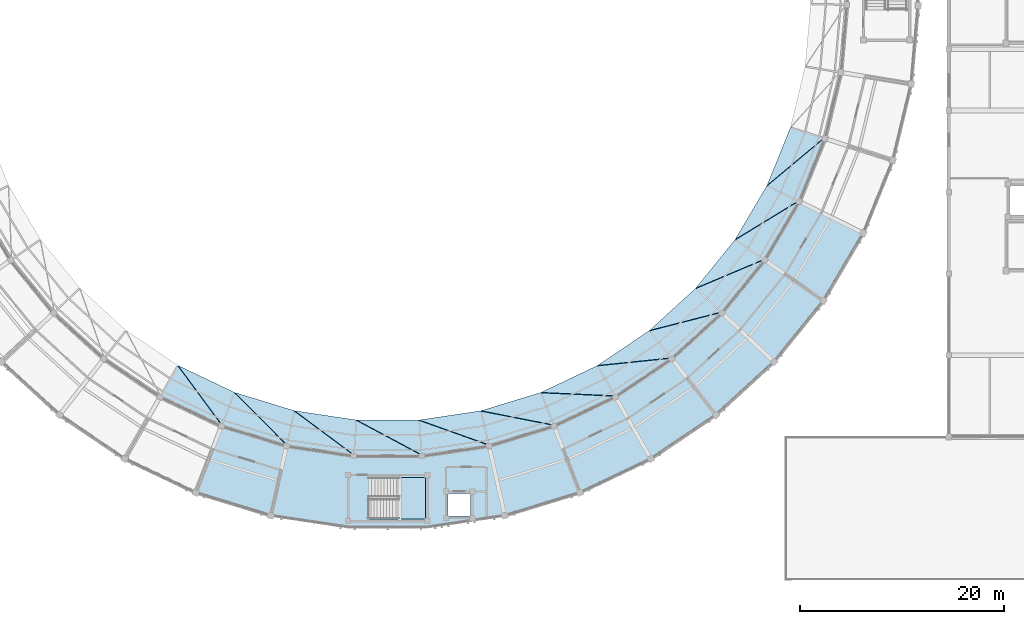
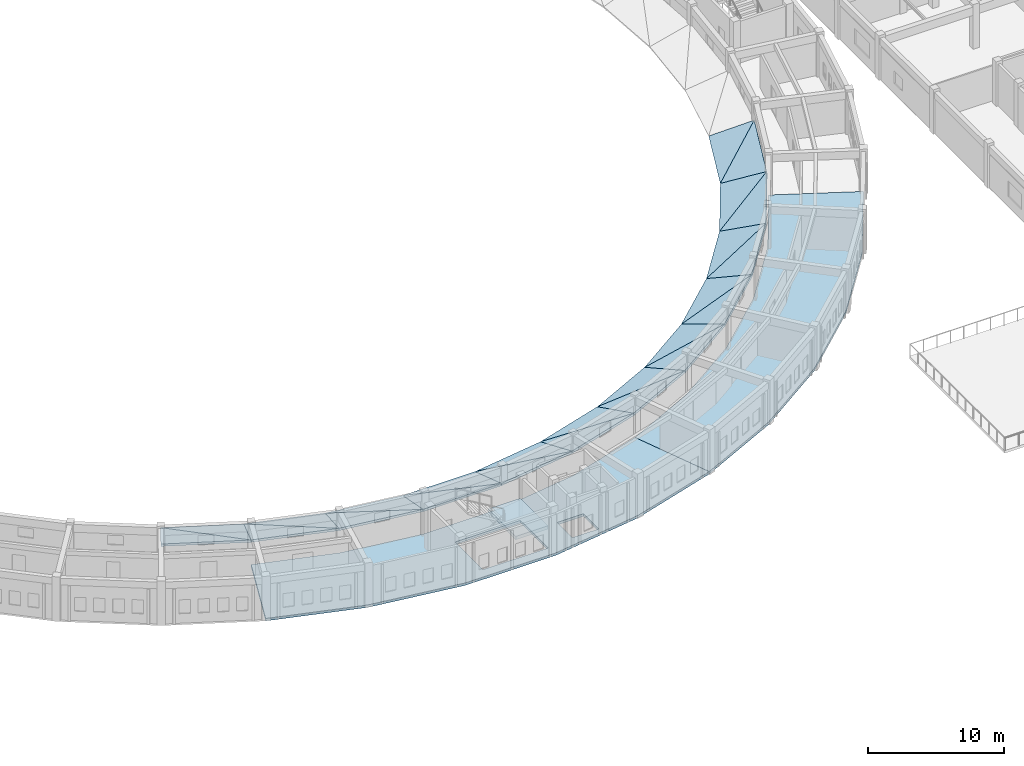
# One storey, part 68 of 112: 27 slabs, 1 element without a shape of its own.
"""IFC4 building model written with IfcOpenShell, lengths in metres."""

import ifcopenshell
import ifcopenshell.guid

model = None  # the IFC model being written
_history = None  # IfcOwnerHistory: only IFC2X3 demands one
_inside = {}  # id of a spatial element -> (the spatial element, [elements in it])
_under = {}  # id of a project, library or spatial element -> (it, [spatial elements below it])
_declared = {}  # id of a project -> (the project, [libraries it declares])
_typed = {}  # id of a type object -> (the type object, [elements of that type])
_made_of = {}  # id of a material, layer set ... -> (it, [elements and type objects made of it])


def new_model(schema):
    """Start an empty IFC model of exactly this schema.

    Asked for "IFC4X3", IfcOpenShell would pick the latest addendum, in which some entities
    have other attributes; the version numbers below select the first issue.
    IFC2X3 requires an IfcOwnerHistory on every rooted entity: one is made here for all.
    """
    global model, _history
    if schema == "IFC4X3":
        model = ifcopenshell.file(schema_version=(4, 3, 0, 0))
    else:
        model = ifcopenshell.file(schema=schema)
    _inside.clear()
    _under.clear()
    _declared.clear()
    _typed.clear()
    _made_of.clear()
    _history = None
    if model.schema == "IFC2X3":
        org = make("IfcOrganization", Name="unknown")
        user = make(
            "IfcPersonAndOrganization",
            ThePerson=make("IfcPerson", FamilyName="unknown"),
            TheOrganization=org,
        )
        app = make(
            "IfcApplication",
            ApplicationDeveloper=org,
            Version="unknown",
            ApplicationFullName="unknown",
            ApplicationIdentifier="unknown",
        )
        _history = make(
            "IfcOwnerHistory",
            OwningUser=user,
            OwningApplication=app,
            ChangeAction="ADDED",
            CreationDate=0,
        )
    return model


def make(cls, **values):
    """One entity of the class cls with the attributes given. An attribute that is None is left unset."""
    return model.create_entity(
        cls, **{name: value for name, value in values.items() if value is not None}
    )


def rooted(cls, **values):
    """An entity with a GlobalId (a new one), such as an element, a storey or a relation."""
    return make(cls, GlobalId=ifcopenshell.guid.new(), OwnerHistory=_history, **values)


def si_unit(unit_type, name, prefix=None):
    """IfcSIUnit, for example si_unit("LENGTHUNIT", "METRE", prefix="MILLI")."""
    return make("IfcSIUnit", UnitType=unit_type, Prefix=prefix, Name=name)


def assignment(units):
    """IfcUnitAssignment: the units of a project."""
    return None if units is None else make("IfcUnitAssignment", Units=units)


def point(xyz):
    """IfcCartesianPoint."""
    return None if xyz is None else make("IfcCartesianPoint", Coordinates=xyz)


def direction(xyz):
    """IfcDirection."""
    return None if xyz is None else make("IfcDirection", DirectionRatios=xyz)


def frame(location, z_axis=None, x_axis=None):
    """IfcAxis2Placement3D, a coordinate frame: its origin and axes. An axis left out is left unset."""
    return make(
        "IfcAxis2Placement3D",
        Location=point(location),
        Axis=direction(z_axis),
        RefDirection=direction(x_axis),
    )


def origin():
    """The frame at (0, 0, 0) with its axes left unset."""
    return frame((0.0, 0.0, 0.0))


def place(relative_to, where):
    """IfcLocalPlacement: puts the frame where relative to a parent placement (None: the world)."""
    return make(
        "IfcLocalPlacement", PlacementRelTo=relative_to, RelativePlacement=where
    )


def context(
    kind, dimensions, precision=None, world=None, true_north=None, identifier=None
):
    """IfcGeometricRepresentationContext, for example the 3D "Model" context."""
    return make(
        "IfcGeometricRepresentationContext",
        ContextIdentifier=identifier,
        ContextType=kind,
        CoordinateSpaceDimension=dimensions,
        Precision=precision,
        WorldCoordinateSystem=world,
        TrueNorth=true_north,
    )


def subcontext(parent, identifier, kind, view, scale=None):
    """IfcGeometricRepresentationSubContext, for example "Body" below "Model"."""
    return make(
        "IfcGeometricRepresentationSubContext",
        ContextIdentifier=identifier,
        ContextType=kind,
        ParentContext=parent,
        TargetScale=scale,
        TargetView=view,
    )


def project(units=None, contexts=None):
    """IfcProject with its units and contexts."""
    return rooted(
        "IfcProject",
        Name="project",
        RepresentationContexts=contexts,
        UnitsInContext=assignment(units),
    )


def spatial(cls, under=None, at=None, **own):
    """A site, building, storey or space (cls), placed at a placement, below another one or the project."""
    s = rooted(cls, ObjectPlacement=at, **own)
    if under is not None:
        _under.setdefault(under.id(), (under, []))[1].append(s)
    return s


def polyline(points):
    """IfcPolyline through the points."""
    return make("IfcPolyline", Points=[point(p) for p in points])


def outline(outer, holes=None, kind="AREA"):
    """IfcArbitraryClosedProfileDef: a profile drawn as a closed curve; with holes, ...WithVoids."""
    if holes is None:
        return make("IfcArbitraryClosedProfileDef", ProfileType=kind, OuterCurve=outer)
    return make(
        "IfcArbitraryProfileDefWithVoids",
        ProfileType=kind,
        OuterCurve=outer,
        InnerCurves=holes,
    )


def extrude(swept, where, along, depth):
    """IfcExtrudedAreaSolid: the profile swept, set in the frame where, extruded along a direction by depth."""
    return make(
        "IfcExtrudedAreaSolid",
        SweptArea=swept,
        Position=where,
        ExtrudedDirection=direction(along),
        Depth=depth,
    )


def shape(context_of_items, identifier, shape_type, items):
    """IfcShapeRepresentation: the items that make up one representation, for example the "Body"."""
    return make(
        "IfcShapeRepresentation",
        ContextOfItems=context_of_items,
        RepresentationIdentifier=identifier,
        RepresentationType=shape_type,
        Items=items,
    )


def material(Name=None, Category=None):
    """IfcMaterial."""
    return make("IfcMaterial", Name=Name, Category=Category)


def layer(
    of_material, thickness, ventilated=None, Name=None, Category=None, Priority=None
):
    """IfcMaterialLayer: one layer of a wall or slab, of a material (None: an air gap)."""
    return make(
        "IfcMaterialLayer",
        Material=of_material,
        LayerThickness=thickness,
        IsVentilated=ventilated,
        Name=Name,
        Category=Category,
        Priority=Priority,
    )


def layer_set(layers, Name=None):
    """IfcMaterialLayerSet."""
    return make("IfcMaterialLayerSet", MaterialLayers=layers, LayerSetName=Name)


def made_of(thing, what):
    """Note that an element or type object is made of a material, layer set ...; save() writes the relation."""
    if what is not None:
        _made_of.setdefault(what.id(), (what, []))[1].append(thing)
    return thing


def type_object(cls, material=None, **own):
    """A type object (cls), such as IfcWallType, which elements share."""
    return made_of(rooted(cls, **own), material)


def element(
    cls,
    number,
    at=None,
    inside=None,
    cuts=None,
    type_object=None,
    material=None,
    context=None,
    identifier="Body",
    shape_type=None,
    held_by="IfcProductDefinitionShape",
    body=None,
    shapes=None,
    **own,
):
    """One element of the class cls, such as IfcWall. Its Tag is "e" and its number.

    at: its placement. inside: the storey or other place that contains it. cuts: it is an
    opening in that element (IfcRelVoidsElement). A single representation is given by context,
    identifier, shape_type and body (its items); several are given by shapes. held_by: the class
    of the entity that holds the representations. save() writes the other relations.
    """
    e = rooted(cls, Tag="e%d" % number, ObjectPlacement=at, **own)
    if body is not None:
        shapes = [shape(context, identifier, shape_type, body)]
    if shapes is not None:
        e.Representation = make(held_by, Representations=shapes)
    if inside is not None:
        _inside.setdefault(inside.id(), (inside, []))[1].append(e)
    if cuts is not None:
        rooted(
            "IfcRelVoidsElement", RelatingBuildingElement=cuts, RelatedOpeningElement=e
        )
    if type_object is not None:
        _typed.setdefault(type_object.id(), (type_object, []))[1].append(e)
    return made_of(e, material)


def aggregate(whole, parts):
    """IfcRelAggregates: a whole, such as a stair, and the parts it consists of."""
    return rooted("IfcRelAggregates", RelatingObject=whole, RelatedObjects=parts)


def save(model, path):
    """Write the relations noted so far, then the file.

    IfcRelAggregates (storeys below a building ...), IfcRelContainedInSpatialStructure (elements
    in a storey), IfcRelDefinesByType, IfcRelAssociatesMaterial and IfcRelDeclares: one each for
    every whole, place, type object, material and project.
    """
    for whole, parts in _under.values():
        aggregate(whole, parts)
    for where, things in _inside.values():
        rooted(
            "IfcRelContainedInSpatialStructure",
            RelatedElements=things,
            RelatingStructure=where,
        )
    for kind, things in _typed.values():
        rooted("IfcRelDefinesByType", RelatedObjects=things, RelatingType=kind)
    for what, things in _made_of.values():
        rooted("IfcRelAssociatesMaterial", RelatedObjects=things, RelatingMaterial=what)
    for by, libraries in _declared.values():
        rooted("IfcRelDeclares", RelatingContext=by, RelatedDefinitions=libraries)
    model.write(path)


model = new_model("IFC4")

# Units and contexts
model_context = context("Model", 3, precision=1e-05, world=origin(), true_north=direction((0.0, 1.0)))
body_context = subcontext(model_context, "Body", "Model", "MODEL_VIEW")
ifc_project = project(units=[si_unit("LENGTHUNIT", "METRE"), si_unit("AREAUNIT", "SQUARE_METRE"), si_unit("VOLUMEUNIT", "CUBIC_METRE"), si_unit("PLANEANGLEUNIT", "RADIAN"), si_unit("MASSUNIT", "GRAM", prefix="KILO")], contexts=[model_context])

# Site, building, storey
site_placement = place(None, origin())
site = spatial("IfcSite", under=ifc_project, at=site_placement, CompositionType="ELEMENT")
building_placement = place(site_placement, origin())
building = spatial("IfcBuilding", under=site, at=building_placement, Name="Celadon Cloister-Ring School", CompositionType="ELEMENT")
storey_placement = place(building_placement, frame((0.0, 0.0, 8.5)))
storey = spatial("IfcBuildingStorey", under=building, at=storey_placement, Name="L02", CompositionType="ELEMENT", Elevation=8.5)

# Slabs
ifc_material_1 = material(Name="Concrete C35/45", Category="concrete")
ifc_layer_1 = layer(ifc_material_1, 0.219970703125)
ifc_layer_set_1 = layer_set([ifc_layer_1], Name="Concrete C35/45")
slab_type_1 = type_object("IfcSlabType", Name="SL-FL2", PredefinedType="FLOOR", material=ifc_layer_set_1)
slab_1_placement = place(storey_placement, frame((0.0, 0.0, -0.219970703125)))
element("IfcSlab", 1, at=slab_1_placement, inside=storey, type_object=slab_type_1, Name="Ring L02 Sector 0018", PredefinedType="FLOOR", context=body_context, shape_type="SweptSolid", body=[
    extrude(outline(polyline([(70.697998046875, 17.056884765625), (77.072998046875, 15.10888671875), (83.6669921875, 14.1240234375), (90.3330078125, 14.1240234375), (96.927001953125, 15.10888671875), (103.302001953125, 17.056884765625), (105.837890625, 10.531982421875), (98.470947265625, 8.281005859375), (90.85205078125, 7.14306640625), (83.14794921875, 7.14306640625), (75.529052734375, 8.281005859375), (68.162109375, 10.531982421875), (70.697998046875, 17.056884765625)]), holes=[polyline([(95.1201171875, 8.22998046875), (95.1201171875, 10.469970703125), (92.8798828125, 10.469970703125), (92.8798828125, 8.22998046875), (95.1201171875, 8.22998046875)]), polyline([(90.679931640625, 7.969970703125), (90.679931640625, 12.050048828125), (85.139892578125, 12.050048828125), (85.139892578125, 7.969970703125), (90.679931640625, 7.969970703125)])]), origin(), (0.0, 0.0, 1.0), 0.219970703125),
])
slab_2_placement = place(storey_placement, frame((0.0, 0.0, -0.219970703125)))
element("IfcSlab", 2, at=slab_2_placement, inside=storey, type_object=slab_type_1, Name="Ring L02 Sector 0019", PredefinedType="FLOOR", context=body_context, shape_type="SweptSolid", body=[
    extrude(outline(polyline([(103.302001953125, 17.056884765625), (109.320068359375, 19.926025390625), (114.847900390625, 23.652099609375), (119.764892578125, 28.154052734375), (123.9619140625, 33.3330078125), (127.34912109375, 39.075927734375), (133.625, 35.97705078125), (129.7119140625, 29.341064453125), (124.862060546875, 23.35595703125), (119.179931640625, 18.153076171875), (112.7919921875, 13.846923828125), (105.837890625, 10.531982421875), (103.302001953125, 17.056884765625)])), origin(), (0.0, 0.0, 1.0), 0.219970703125),
])

# Stair, slab
ifc_material_2 = material(Name="Concrete C35/45", Category="concrete")
stair_type = type_object("IfcStairType", Name="ST-04", PredefinedType="HALF_TURN_STAIR", material=ifc_material_2)
stair_placement = place(storey_placement, origin())
stair = element("IfcStair", 3, at=stair_placement, inside=storey, type_object=stair_type, Name="Exit Stair ST-V1S L02", PredefinedType="HALF_TURN_STAIR")
ifc_material_3 = material(Name="Concrete C35/45", Category="concrete")
ifc_layer_2 = layer(ifc_material_3, 0.300048828125)
ifc_layer_set_2 = layer_set([ifc_layer_2], Name="Concrete C35/45")
slab_type_2 = type_object("IfcSlabType", Name="SL-LD2", PredefinedType="LANDING", material=ifc_layer_set_2)
slab_3_placement = place(storey_placement, frame((0.0, 0.0, 1.699951171875)))
slab_3 = element("IfcSlab", 4, at=slab_3_placement, type_object=slab_type_2, Name="ST-04 landing 1", PredefinedType="LANDING", context=body_context, shape_type="SweptSolid", body=[
    extrude(outline(polyline([(87.929931640625, 7.969970703125), (90.679931640625, 7.969970703125), (90.679931640625, 12.050048828125), (87.929931640625, 12.050048828125), (87.929931640625, 7.969970703125)])), origin(), (0.0, 0.0, 1.0), 0.300048828125),
])
aggregate(stair, [slab_3])

# Slabs
ifc_material_4 = material(Name="Concrete C35/45", Category="concrete")
ifc_layer_3 = layer(ifc_material_4, 0.179931640625)
ifc_layer_set_3 = layer_set([ifc_layer_3], Name="Concrete C35/45")
slab_type_3 = type_object("IfcSlabType", Name="SL-RF1", PredefinedType="ROOF", material=ifc_layer_set_3)
slab_4_placement = place(storey_placement, frame((66.44091796875, 23.008056640625, 1.199951171875), z_axis=(0.111466776389, 0.233885175451, 0.965853447716), x_axis=(-0.47926406148, -0.838763819293, 0.258420616088)))
element("IfcSlab", 5, at=slab_4_placement, inside=storey, type_object=slab_type_3, Name="Conical Lower Roof Inner Tri 0057", PredefinedType="ROOF", context=body_context, shape_type="SweptSolid", body=[
    extrude(outline(polyline([(0.0, 0.0), (3.540890337436619, -1.1102230246251565e-16), (3.0636755541786527, 6.630771481729757), (0.0, 0.0)])), origin(), (0.0, 0.0, -1.0), 0.179931640625),
])
slab_5_placement = place(storey_placement, frame((66.44091796875, 23.008056640625, 1.199951171875), z_axis=(0.11149070915, 0.233901779758, 0.965846664435), x_axis=(0.589266798516, -0.798167393565, 0.125273508839)))
element("IfcSlab", 6, at=slab_5_placement, inside=storey, type_object=slab_type_3, Name="Conical Lower Roof Outer Tri 0058", PredefinedType="ROOF", context=body_context, shape_type="SweptSolid", body=[
    extrude(outline(polyline([(0.0, 0.0), (7.304330109201836, -2.7755575615628914e-17), (5.375117413734664, 2.968712531467107), (0.0, 0.0)])), origin(), (0.0, 0.0, -1.0), 0.179931640625),
])
slab_6_placement = place(storey_placement, frame((71.98388671875, 20.365966796875, 1.199951171875), z_axis=(0.075733996637, 0.247796155369, 0.96584751754), x_axis=(-0.349885819343, -0.900435362431, 0.258449359656)))
element("IfcSlab", 7, at=slab_6_placement, inside=storey, type_object=slab_type_3, Name="Conical Lower Roof Inner Tri 0061", PredefinedType="ROOF", context=body_context, shape_type="SweptSolid", body=[
    extrude(outline(polyline([(0.0, 0.0), (3.5404965356347335, 4.5102810375396984e-17), (3.0657254541368837, 6.6302296508077285), (0.0, 0.0)])), origin(), (0.0, 0.0, -1.0), 0.179931640625),
])
slab_7_placement = place(storey_placement, frame((71.98388671875, 20.365966796875, 1.199951171875), z_axis=(0.075748190576, 0.247809504861, 0.965842979435), x_axis=(0.700667409789, -0.702405375125, 0.125267193851)))
element("IfcSlab", 8, at=slab_7_placement, inside=storey, type_object=slab_type_3, Name="Conical Lower Roof Outer Tri 0062", PredefinedType="ROOF", context=body_context, shape_type="SweptSolid", body=[
    extrude(outline(polyline([(0.0, 0.0), (7.304698336180132, -2.7755575615628914e-16), (5.3751310688867235, 2.9683194377603703), (0.0, 0.0)])), origin(), (0.0, 0.0, -1.0), 0.179931640625),
])
slab_8_placement = place(storey_placement, frame((77.85595703125, 18.571044921875, 1.199951171875), z_axis=(0.038288610746, 0.256275769716, 0.965845076678), x_axis=(-0.212946201542, -0.942259358119, 0.258459314566)))
element("IfcSlab", 9, at=slab_8_placement, inside=storey, type_object=slab_type_3, Name="Conical Lower Roof Inner Tri 0065", PredefinedType="ROOF", context=body_context, shape_type="SweptSolid", body=[
    extrude(outline(polyline([(0.0, 0.0), (3.540360168626378, 1.3877787807814457e-16), (3.0659234080766122, 6.629986804424895), (0.0, 0.0)])), origin(), (0.0, 0.0, -1.0), 0.179931640625),
])
slab_9_placement = place(storey_placement, frame((77.85595703125, 18.571044921875, 1.199951171875), z_axis=(0.038262933192, 0.256243207239, 0.96585473374), x_axis=(0.79677181984, -0.591153285688, 0.12526954909)))
element("IfcSlab", 10, at=slab_9_placement, inside=storey, type_object=slab_type_3, Name="Conical Lower Roof Outer Tri 0066", PredefinedType="ROOF", context=body_context, shape_type="SweptSolid", body=[
    extrude(outline(polyline([(0.0, 0.0), (7.304560997831448, -1.6653345369377348e-16), (5.3757374419266135, 2.9693823641273838), (0.0, 0.0)])), origin(), (0.0, 0.0, -1.0), 0.179931640625),
])
slab_10_placement = place(storey_placement, frame((83.929931640625, 17.6640625, 1.199951171875), z_axis=(0.0, 0.259090817993, 0.965852963981), x_axis=(-0.071707788032, -0.96336655229, 0.2584238361)))
element("IfcSlab", 11, at=slab_10_placement, inside=storey, type_object=slab_type_3, Name="Conical Lower Roof Inner Tri 0069", PredefinedType="ROOF", context=body_context, shape_type="SweptSolid", body=[
    extrude(outline(polyline([(0.0, 0.0), (3.5408462172486534, -3.469446951953614e-18), (3.0641364838237335, 6.630835290152868), (0.0, 0.0)])), origin(), (0.0, 0.0, -1.0), 0.179931640625),
])
slab_11_placement = place(storey_placement, frame((83.929931640625, 17.6640625, 1.199951171875), z_axis=(0.0, 0.259090817993, 0.965852963981), x_axis=(0.875346942163, -0.466985394269, 0.125269199665)))
element("IfcSlab", 12, at=slab_11_placement, inside=storey, type_object=slab_type_3, Name="Conical Lower Roof Outer Tri 0070", PredefinedType="ROOF", context=body_context, shape_type="SweptSolid", body=[
    extrude(outline(polyline([(0.0, 0.0), (7.304581373127166, -3.3306690738754696e-16), (5.3747499012225255, 2.9687274082088555), (0.0, 0.0)])), origin(), (0.0, 0.0, -1.0), 0.179931640625),
])
slab_12_placement = place(storey_placement, frame((90.070068359375, 17.6640625, 1.199951171875), z_axis=(-0.038283501747, 0.256241573833, 0.965854352029), x_axis=(0.071707788032, -0.96336655229, 0.2584238361)))
element("IfcSlab", 13, at=slab_12_placement, inside=storey, type_object=slab_type_3, Name="Conical Lower Roof Inner Tri 0073", PredefinedType="ROOF", context=body_context, shape_type="SweptSolid", body=[
    extrude(outline(polyline([(0.0, 0.0), (3.5408462172486534, -2.0816681711721685e-17), (3.066054217363901, 6.62996137420533), (0.0, 0.0)])), origin(), (0.0, 0.0, -1.0), 0.179931640625),
])
slab_13_placement = place(storey_placement, frame((90.070068359375, 17.6640625, 1.199951171875), z_axis=(-0.038268459882, 0.256280218952, 0.965844694737), x_axis=(0.934738051287, -0.332524363438, 0.125269003333)))
element("IfcSlab", 14, at=slab_13_placement, inside=storey, type_object=slab_type_3, Name="Conical Lower Roof Outer Tri 0074", PredefinedType="ROOF", context=body_context, shape_type="SweptSolid", body=[
    extrude(outline(polyline([(0.0, 0.0), (7.30459282145621, -1.1102230246251565e-16), (5.375981437452574, 2.9689405944019454), (0.0, 0.0)])), origin(), (0.0, 0.0, -1.0), 0.179931640625),
])
slab_14_placement = place(storey_placement, frame((96.14404296875, 18.571044921875, 1.199951171875), z_axis=(-0.075738744234, 0.247811689164, 0.965843159802), x_axis=(0.212946201542, -0.942259358119, 0.258459314566)))
element("IfcSlab", 15, at=slab_14_placement, inside=storey, type_object=slab_type_3, Name="Conical Lower Roof Inner Tri 0077", PredefinedType="ROOF", context=body_context, shape_type="SweptSolid", body=[
    extrude(outline(polyline([(0.0, 0.0), (3.540360168626378, 1.0408340855860843e-17), (3.0633565611660734, 6.630069408441097), (0.0, 0.0)])), origin(), (0.0, 0.0, -1.0), 0.179931640625),
])
slab_15_placement = place(storey_placement, frame((96.14404296875, 18.571044921875, 1.199951171875), z_axis=(-0.075743050395, 0.247792688807, 0.965847696943), x_axis=(0.973612982758, -0.190738023746, 0.125286735541)))
element("IfcSlab", 16, at=slab_15_placement, inside=storey, type_object=slab_type_3, Name="Conical Lower Roof Outer Tri 0078", PredefinedType="ROOF", context=body_context, shape_type="SweptSolid", body=[
    extrude(outline(polyline([(0.0, 0.0), (7.303558980496132, -1.1102230246251565e-16), (5.374764040702546, 2.9689839674656735), (0.0, 0.0)])), origin(), (0.0, 0.0, -1.0), 0.179931640625),
])
slab_16_placement = place(storey_placement, frame((102.01611328125, 20.365966796875, 1.199951171875), z_axis=(-0.111477223901, 0.233907096945, 0.965846933292), x_axis=(0.349885819343, -0.900435362431, 0.258449359656)))
element("IfcSlab", 17, at=slab_16_placement, inside=storey, type_object=slab_type_3, Name="Conical Lower Roof Inner Tri 0081", PredefinedType="ROOF", context=body_context, shape_type="SweptSolid", body=[
    extrude(outline(polyline([(0.0, 0.0), (3.5404965356347335, -9.020562075079397e-17), (3.064896695395427, 6.630887511053473), (0.0, 0.0)])), origin(), (0.0, 0.0, -1.0), 0.179931640625),
])
slab_17_placement = place(storey_placement, frame((102.01611328125, 20.365966796875, 1.199951171875), z_axis=(-0.11147939689, 0.233878047219, 0.965853717236), x_axis=(0.991107743564, -0.044884764782, 0.125262917649)))
element("IfcSlab", 18, at=slab_17_placement, inside=storey, type_object=slab_type_3, Name="Conical Lower Roof Outer Tri 0082", PredefinedType="ROOF", context=body_context, shape_type="SweptSolid", body=[
    extrude(outline(polyline([(0.0, 0.0), (7.304947702597928, 8.326672684688674e-17), (5.375089669289077, 2.9687627646926105), (0.0, 0.0)])), origin(), (0.0, 0.0, -1.0), 0.179931640625),
])
slab_18_placement = place(storey_placement, frame((107.55908203125, 23.008056640625, 1.199951171875), z_axis=(-0.144822527206, 0.214826425541, 0.965855083593), x_axis=(0.47926406148, -0.838763819293, 0.258420616088)))
element("IfcSlab", 19, at=slab_18_placement, inside=storey, type_object=slab_type_3, Name="Conical Lower Roof Inner Tri 0085", PredefinedType="ROOF", context=body_context, shape_type="SweptSolid", body=[
    extrude(outline(polyline([(0.0, 0.0), (3.540890337436619, 7.632783294297951e-17), (3.065880422006405, 6.630491767784474), (0.0, 0.0)])), origin(), (0.0, 0.0, -1.0), 0.179931640625),
])
slab_19_placement = place(storey_placement, frame((107.55908203125, 23.008056640625, 1.199951171875), z_axis=(-0.144821019351, 0.214806000967, 0.965859852309), x_axis=(0.986856003026, 0.102101228977, 0.125261998759)))
element("IfcSlab", 20, at=slab_19_placement, inside=storey, type_object=slab_type_3, Name="Conical Lower Roof Outer Tri 0086", PredefinedType="ROOF", context=body_context, shape_type="SweptSolid", body=[
    extrude(outline(polyline([(0.0, 0.0), (7.305001289849295, -8.326672684688674e-17), (5.375369672792966, 2.9692310781098765), (0.0, 0.0)])), origin(), (0.0, 0.0, -1.0), 0.179931640625),
])
slab_20_placement = place(storey_placement, frame((112.65087890625, 26.44091796875, 1.199951171875), z_axis=(-0.174964222273, 0.19105518327, 0.965859947337), x_axis=(0.597879715709, -0.758794297866, 0.258400965692)))
element("IfcSlab", 21, at=slab_20_placement, inside=storey, type_object=slab_type_3, Name="Conical Lower Roof Inner Tri 0089", PredefinedType="ROOF", context=body_context, shape_type="SweptSolid", body=[
    extrude(outline(polyline([(0.0, 0.0), (3.5411596084837744, -1.249000902703301e-16), (3.065641585325834, 6.6297295112581285), (0.0, 0.0)])), origin(), (0.0, 0.0, -1.0), 0.179931640625),
])
slab_21_placement = place(storey_placement, frame((112.65087890625, 26.44091796875, 1.199951171875), z_axis=(-0.174972998561, 0.191094083145, 0.965850661936), x_axis=(0.960958646897, 0.246707331226, 0.125275582907)))
element("IfcSlab", 22, at=slab_21_placement, inside=storey, type_object=slab_type_3, Name="Conical Lower Roof Outer Tri 0090", PredefinedType="ROOF", context=body_context, shape_type="SweptSolid", body=[
    extrude(outline(polyline([(0.0, 0.0), (7.304209178420756, 3.0531133177191805e-16), (5.3753209440423255, 2.9691119263131136), (0.0, 0.0)])), origin(), (0.0, 0.0, -1.0), 0.179931640625),
])
slab_22_placement = place(storey_placement, frame((117.179931640625, 30.587890625, 1.199951171875), z_axis=(-0.201296578191, 0.163141951676, 0.965849051981), x_axis=(0.703257016137, -0.662298621433, 0.258437817088)))
element("IfcSlab", 23, at=slab_22_placement, inside=storey, type_object=slab_type_3, Name="Conical Lower Roof Inner Tri 0093", PredefinedType="ROOF", context=body_context, shape_type="SweptSolid", body=[
    extrude(outline(polyline([(0.0, 0.0), (3.5406546642814942, 2.3245294578089215e-16), (3.0637150069685797, 6.631217641564336), (0.0, 0.0)])), origin(), (0.0, 0.0, -1.0), 0.179931640625),
])
slab_23_placement = place(storey_placement, frame((117.179931640625, 30.587890625, 1.199951171875), z_axis=(-0.20132760853, 0.163221891653, 0.965829078113), x_axis=(0.913929136319, 0.386059442443, 0.125266279134)))
element("IfcSlab", 24, at=slab_23_placement, inside=storey, type_object=slab_type_3, Name="Conical Lower Roof Outer Tri 0094", PredefinedType="ROOF", context=body_context, shape_type="SweptSolid", body=[
    extrude(outline(polyline([(0.0, 0.0), (7.30475167638973, -4.163336342344337e-16), (5.375846412536061, 2.9679118648446883), (0.0, 0.0)])), origin(), (0.0, 0.0, -1.0), 0.179931640625),
])
slab_24_placement = place(storey_placement, frame((121.047119140625, 35.35791015625, 1.199951171875), z_axis=(-0.223249104994, 0.131645570314, 0.965830875949), x_axis=(0.793533770758, -0.550886938465, 0.258510610413)))
element("IfcSlab", 25, at=slab_24_placement, inside=storey, type_object=slab_type_3, Name="Conical Lower Roof Inner Tri 0097", PredefinedType="ROOF", context=body_context, shape_type="SweptSolid", body=[
    extrude(outline(polyline([(0.0, 0.0), (3.539657660623166, -7.28583859910259e-17), (3.0647275519878567, 6.62935911804906), (0.0, 0.0)])), origin(), (0.0, 0.0, -1.0), 0.179931640625),
])
slab_25_placement = place(storey_placement, frame((121.047119140625, 35.35791015625, 1.199951171875), z_axis=(-0.223229697785, 0.131611564944, 0.965839996066), x_axis=(0.846830072865, 0.516896278243, 0.125287929306)))
element("IfcSlab", 26, at=slab_25_placement, inside=storey, type_object=slab_type_3, Name="Conical Lower Roof Outer Tri 0098", PredefinedType="ROOF", context=body_context, shape_type="SweptSolid", body=[
    extrude(outline(polyline([(0.0, 0.0), (7.303489390967424, -8.326672684688674e-17), (5.375576840287037, 2.969040618986588), (0.0, 0.0)])), origin(), (0.0, 0.0, -1.0), 0.179931640625),
])
slab_26_placement = place(storey_placement, frame((124.166015625, 40.64794921875, 1.199951171875), z_axis=(-0.24021599898, 0.097232324798, 0.965837537502), x_axis=(0.866063007107, -0.427928090388, 0.258480980302)))
element("IfcSlab", 27, at=slab_26_placement, inside=storey, type_object=slab_type_3, Name="Conical Lower Roof Inner Tri 0101", PredefinedType="ROOF", context=body_context, shape_type="SweptSolid", body=[
    extrude(outline(polyline([(0.0, 0.0), (3.5400634175482244, 2.463307335887066e-16), (3.0633111244062032, 6.630386706283313), (0.0, 0.0)])), origin(), (0.0, 0.0, -1.0), 0.179931640625),
])
slab_27_placement = place(storey_placement, frame((124.166015625, 40.64794921875, 1.199951171875), z_axis=(-0.240165774283, 0.097168507348, 0.965856450019), x_axis=(0.761252677578, 0.6362379672, 0.125282121523)))
element("IfcSlab", 28, at=slab_27_placement, inside=storey, type_object=slab_type_3, Name="Conical Lower Roof Outer Tri 0102", PredefinedType="ROOF", context=body_context, shape_type="SweptSolid", body=[
    extrude(outline(polyline([(0.0, 0.0), (7.303827963456512, -8.326672684688674e-16), (5.374703299039782, 2.9692957330949894), (0.0, 0.0)])), origin(), (0.0, 0.0, -1.0), 0.179931640625),
])

save(model, "model.ifc")
